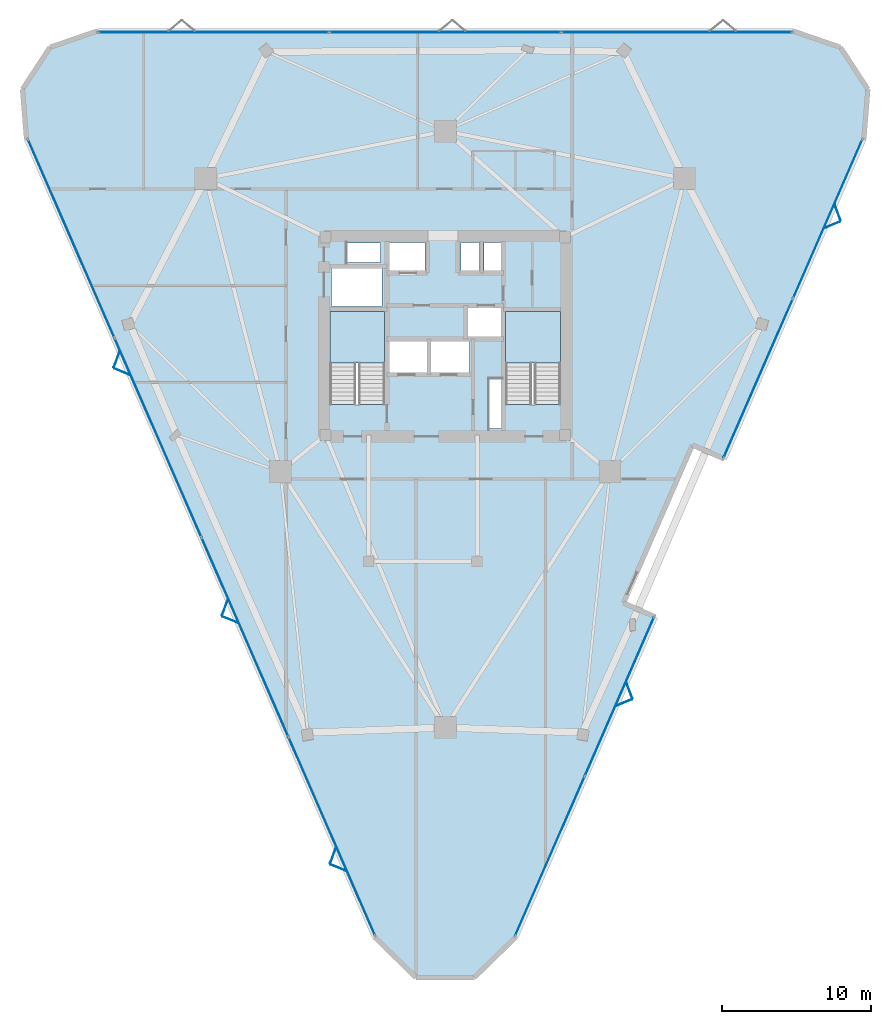
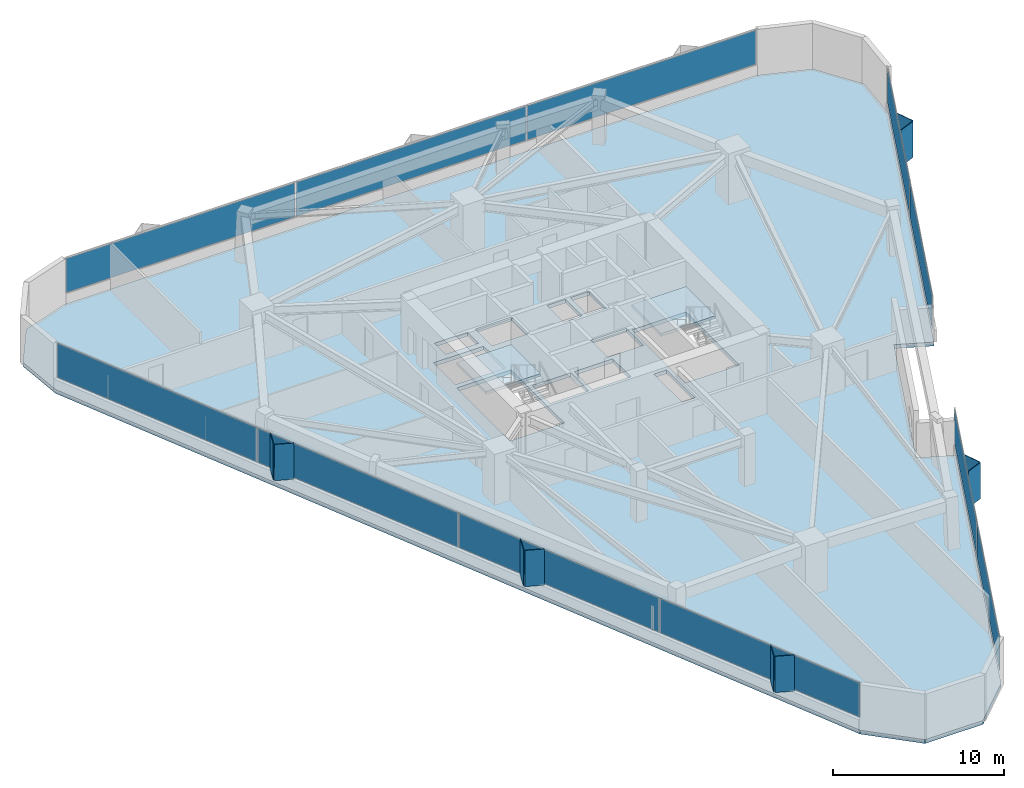
# One storey, part 8 of 12: 21 plates, 3 slabs, 6 elements without a shape of their own.
"""IFC4 building model written with IfcOpenShell, lengths in metres."""

from ifc_helpers import new_model, si_unit, direction, frame, origin, origin_2d, place, context, subcontext, project, spatial, polyline, rectangle, outline, extrude, material, layer, layer_set, type_object, element, aggregate, save


model = new_model("IFC4")

# Units and contexts
model_context = context("Model", 3, precision=1e-05, world=origin(), true_north=direction((0.0, 1.0)))
body_context = subcontext(model_context, "Body", "Model", "MODEL_VIEW")
ifc_project = project(units=[si_unit("LENGTHUNIT", "METRE"), si_unit("AREAUNIT", "SQUARE_METRE"), si_unit("VOLUMEUNIT", "CUBIC_METRE"), si_unit("PLANEANGLEUNIT", "RADIAN"), si_unit("MASSUNIT", "GRAM", prefix="KILO")], contexts=[model_context])

# Site, building, storey
site_placement = place(None, origin())
site = spatial("IfcSite", under=ifc_project, at=site_placement, CompositionType="ELEMENT")
building_placement = place(site_placement, origin())
building = spatial("IfcBuilding", under=site, at=building_placement, Name="Talyreon Biosciences Tower", CompositionType="ELEMENT")
storey_placement = place(building_placement, frame((0.0, 0.0, 152.75)))
storey = spatial("IfcBuildingStorey", under=building, at=storey_placement, Name="L40", CompositionType="ELEMENT", Elevation=152.75)

# Curtain wall, plates
ifc_material_1 = material(Name="Thermally broken aluminium and low-E glazing", Category="aluminium")
ifc_layer_1 = layer(ifc_material_1, 0.205078125)
ifc_layer_set_1 = layer_set([ifc_layer_1], Name="Thermally broken aluminium and low-E glazing")
curtain_wall_type = type_object("IfcCurtainWallType", Name="CurtainWall_SkyGardenLoggia", PredefinedType="NOTDEFINED", material=ifc_layer_set_1)
curtain_wall_1_placement = place(storey_placement, origin())
curtain_wall_1 = element("IfcCurtainWall", 1, at=curtain_wall_1_placement, inside=storey, type_object=curtain_wall_type, Name="L40 Unitised Curtain Wall FCW-L40-03", PredefinedType="NOTDEFINED")
ifc_material_2 = material(Name="Acoustic laminated low-E insulated glazing", Category="glass")
ifc_layer_2 = layer(ifc_material_2, 0.0380859375)
ifc_layer_set_2 = layer_set([ifc_layer_2], Name="Acoustic laminated low-E insulated glazing")
plate_type_1 = type_object("IfcPlateType", Name="CWGlazingPanel_38", PredefinedType="CURTAIN_PANEL", material=ifc_layer_set_2)
plate_1_placement = place(storey_placement, frame((50.423828125, 88.439453125, 0.875), z_axis=(0.0, 0.0, 1.0), x_axis=(1.0, 0.0, 0.0)))
plate_1 = element("IfcPlate", 2, at=plate_1_placement, type_object=plate_type_1, Name="CW7 panel 1.1", PredefinedType="CURTAIN_PANEL", context=body_context, shape_type="SweptSolid", body=[
    extrude(rectangle(XDim=15.482421875, YDim=0.0380859375, at=origin_2d()), origin(), (0.0, 0.0, 1.0), 2.43505859375),
])
plate_2_placement = place(storey_placement, frame((66.0, 88.439453125, 0.875), z_axis=(0.0, 0.0, 1.0), x_axis=(1.0, 0.0, 0.0)))
plate_2 = element("IfcPlate", 3, at=plate_2_placement, type_object=plate_type_1, Name="CW7 panel 2.1", PredefinedType="CURTAIN_PANEL", context=body_context, shape_type="SweptSolid", body=[
    extrude(rectangle(XDim=15.519775390625, YDim=0.0380859375, at=origin_2d()), origin(), (0.0, 0.0, 1.0), 2.43505859375),
])
plate_3_placement = place(storey_placement, frame((81.576171875, 88.439453125, 0.875), z_axis=(0.0, 0.0, 1.0), x_axis=(1.0, 0.0, 0.0)))
plate_3 = element("IfcPlate", 4, at=plate_3_placement, type_object=plate_type_1, Name="CW7 panel 3.1", PredefinedType="CURTAIN_PANEL", context=body_context, shape_type="SweptSolid", body=[
    extrude(rectangle(XDim=15.482421875, YDim=0.0380859375, at=origin_2d()), origin(), (0.0, 0.0, 1.0), 2.43505859375),
])
aggregate(curtain_wall_1, [plate_1, plate_2, plate_3])

curtain_wall_2_placement = place(storey_placement, origin())
curtain_wall_2 = element("IfcCurtainWall", 5, at=curtain_wall_2_placement, inside=storey, type_object=curtain_wall_type, Name="L40 Unitised Curtain Wall FCW-L40-07", PredefinedType="NOTDEFINED")
plate_4_placement = place(storey_placement, frame((91.733642578125, 75.87890625, 0.875), z_axis=(0.0, 0.0, 1.0), x_axis=(-0.399697916434, -0.916646919811, 0.0)))
plate_4 = element("IfcPlate", 6, at=plate_4_placement, type_object=plate_type_1, Name="CW7 panel 1.1", PredefinedType="CURTAIN_PANEL", context=body_context, shape_type="SweptSolid", body=[
    extrude(rectangle(XDim=11.61865234375, YDim=0.0380859375, at=origin_2d()), origin(), (0.0, 0.0, 1.0), 2.43505859375),
])
plate_5_placement = place(storey_placement, frame((87.0595703125, 65.159912109375, 0.875), z_axis=(0.0, 0.0, 1.0), x_axis=(-0.399697916434, -0.916646919811, 0.0)))
plate_5 = element("IfcPlate", 7, at=plate_5_placement, type_object=plate_type_1, Name="CW7 panel 2.1", PredefinedType="CURTAIN_PANEL", context=body_context, shape_type="SweptSolid", body=[
    extrude(rectangle(XDim=11.61865234375, YDim=0.0380859375, at=origin_2d()), origin(), (0.0, 0.0, 1.0), 2.43505859375),
])
aggregate(curtain_wall_2, [plate_4, plate_5])

curtain_wall_3_placement = place(storey_placement, origin())
curtain_wall_3 = element("IfcCurtainWall", 8, at=curtain_wall_3_placement, inside=storey, type_object=curtain_wall_type, Name="L40 Unitised Curtain Wall FCW-L40-11", PredefinedType="NOTDEFINED")
plate_6_placement = place(storey_placement, frame((77.71923828125, 43.739013671875, 0.875), z_axis=(0.0, 0.0, 1.0), x_axis=(-0.399697916434, -0.916646919811, 0.0)))
plate_6 = element("IfcPlate", 9, at=plate_6_placement, type_object=plate_type_1, Name="CW7 panel 1.1", PredefinedType="CURTAIN_PANEL", context=body_context, shape_type="SweptSolid", body=[
    extrude(rectangle(XDim=11.61865234375, YDim=0.0380859375, at=origin_2d()), origin(), (0.0, 0.0, 1.0), 2.43505859375),
])
plate_7_placement = place(storey_placement, frame((73.045166015625, 33.02001953125, 0.875), z_axis=(0.0, 0.0, 1.0), x_axis=(-0.399697916434, -0.916646919811, 0.0)))
plate_7 = element("IfcPlate", 10, at=plate_7_placement, type_object=plate_type_1, Name="CW7 panel 2.1", PredefinedType="CURTAIN_PANEL", context=body_context, shape_type="SweptSolid", body=[
    extrude(rectangle(XDim=11.61865234375, YDim=0.0380859375, at=origin_2d()), origin(), (0.0, 0.0, 1.0), 2.43505859375),
])
aggregate(curtain_wall_3, [plate_6, plate_7])

curtain_wall_4_placement = place(storey_placement, origin())
curtain_wall_4 = element("IfcCurtainWall", 11, at=curtain_wall_4_placement, inside=storey, type_object=curtain_wall_type, Name="L40 Unitised Curtain Wall FCW-L40-15", PredefinedType="NOTDEFINED")
plate_8_placement = place(storey_placement, frame((58.375244140625, 34.34912109375, 0.875), z_axis=(0.0, 0.0, 1.0), x_axis=(-0.399698003034, 0.916646882049, 0.0)))
plate_8 = element("IfcPlate", 12, at=plate_8_placement, type_object=plate_type_1, Name="CW7 panel 1.1", PredefinedType="CURTAIN_PANEL", context=body_context, shape_type="SweptSolid", body=[
    extrude(rectangle(XDim=14.518798828125, YDim=0.0380859375, at=origin_2d()), origin(), (0.0, 0.0, 1.0), 2.43505859375),
])
plate_9_placement = place(storey_placement, frame((52.53466796875, 47.74365234375, 0.875), z_axis=(0.0, 0.0, 1.0), x_axis=(-0.399698003034, 0.916646882049, 0.0)))
plate_9 = element("IfcPlate", 13, at=plate_9_placement, type_object=plate_type_1, Name="CW7 panel 2.1", PredefinedType="CURTAIN_PANEL", context=body_context, shape_type="SweptSolid", body=[
    extrude(rectangle(XDim=14.55615234375, YDim=0.0380859375, at=origin_2d()), origin(), (0.0, 0.0, 1.0), 2.43505859375),
])
plate_10_placement = place(storey_placement, frame((46.6865234375, 61.1552734375, 0.875), z_axis=(0.0, 0.0, 1.0), x_axis=(-0.399698003034, 0.916646882049, 0.0)))
plate_10 = element("IfcPlate", 14, at=plate_10_placement, type_object=plate_type_1, Name="CW7 panel 3.1", PredefinedType="CURTAIN_PANEL", context=body_context, shape_type="SweptSolid", body=[
    extrude(rectangle(XDim=14.55615234375, YDim=0.0380859375, at=origin_2d()), origin(), (0.0, 0.0, 1.0), 2.43505859375),
])
plate_11_placement = place(storey_placement, frame((40.845947265625, 74.5498046875, 0.875), z_axis=(0.0, 0.0, 1.0), x_axis=(-0.399698003034, 0.916646882049, 0.0)))
plate_11 = element("IfcPlate", 15, at=plate_11_placement, type_object=plate_type_1, Name="CW7 panel 4.1", PredefinedType="CURTAIN_PANEL", context=body_context, shape_type="SweptSolid", body=[
    extrude(rectangle(XDim=14.518798828125, YDim=0.0380859375, at=origin_2d()), origin(), (0.0, 0.0, 1.0), 2.43505859375),
])
aggregate(curtain_wall_4, [plate_8, plate_9, plate_10, plate_11])

# Plates
ifc_material_3 = material(Name="Ivory GFRC sunshade panel", Category="concrete")
ifc_layer_3 = layer(ifc_material_3, 0.044921875)
ifc_layer_set_3 = layer_set([ifc_layer_3], Name="Ivory GFRC sunshade panel")
plate_type_2 = type_object("IfcPlateType", Name="FoldedVSunshade_SunFace_SUNSHADE", PredefinedType="USERDEFINED", material=ifc_layer_set_3)
for number, where, z_axis, x_axis, name in (
    (16, (92.402587890625, 76.31201171875, 0.7900390625), (0.0, 0.0, 1.0), (0.349242662946, -0.937032316614, 0.0), "L40 Folded V-Sunshade Panel 07.01L"),
    (17, (92.042724609375, 75.487060546875, 0.7900390625), (0.0, 0.0, 1.0), (-0.92427310868, -0.381731869995, 0.0), "L40 Folded V-Sunshade Panel 07.01R"),
    (18, (78.38818359375, 44.172119140625, 0.7900390625), (0.0, 0.0, 1.0), (0.349242662946, -0.937032316614, 0.0), "L40 Folded V-Sunshade Panel 11.01L"),
    (19, (78.0283203125, 43.34716796875, 0.7900390625), (0.0, 0.0, 1.0), (-0.92427310868, -0.381731869995, 0.0), "L40 Folded V-Sunshade Panel 11.01R"),
    (20, (58.81689453125, 32.235107421875, 0.7900390625), (0.0, 0.0, 1.0), (-0.92427310868, 0.381731869995, 0.0), "L40 Folded V-Sunshade Panel 15.01L"),
    (21, (58.457275390625, 33.060302734375, 0.7900390625), (0.0, 0.0, 1.0), (0.349242662946, 0.937032316614, 0.0), "L40 Folded V-Sunshade Panel 15.01R"),
    (22, (51.54248046875, 48.918212890625, 0.7900390625), (0.0, 0.0, 1.0), (-0.92427310868, 0.381731869995, 0.0), "L40 Folded V-Sunshade Panel 15.02L"),
    (23, (51.182861328125, 49.7431640625, 0.7900390625), (0.0, 0.0, 1.0), (0.349242662946, 0.937032316614, 0.0), "L40 Folded V-Sunshade Panel 15.02R"),
    (24, (44.26806640625, 65.601318359375, 0.7900390625), (0.0, 0.0, 1.0), (-0.92427310868, 0.381731869995, 0.0), "L40 Folded V-Sunshade Panel 15.03L"),
    (25, (43.908203125, 66.426025390625, 0.7900390625), (0.0, 0.0, 1.0), (0.349242662946, 0.937032316614, 0.0), "L40 Folded V-Sunshade Panel 15.03R"),
):
    element("IfcPlate", number, at=place(storey_placement, frame(where, z_axis=z_axis, x_axis=x_axis)), inside=storey, type_object=plate_type_2, Name=name, ObjectType="SUNSHADE", PredefinedType="USERDEFINED", context=body_context, shape_type="SweptSolid", body=[
        extrude(rectangle(XDim=1.14990234375, YDim=0.044921875, at=origin_2d()), origin(), (0.0, 0.0, 1.0), 2.5849609375),
    ])

# Stair, slab
ifc_material_4 = material(Name="Concrete C40/50", Category="concrete")
stair_type = type_object("IfcStairType", Name="DoglegEscapeStair_3650", PredefinedType="HALF_TURN_STAIR", material=ifc_material_4)
stair_1_placement = place(storey_placement, origin())
stair_1 = element("IfcStair", 26, at=stair_1_placement, inside=storey, type_object=stair_type, Name="L40 Core Escape Stair 1", PredefinedType="HALF_TURN_STAIR")
ifc_layer_4 = layer(ifc_material_4, 0.199951171875)
ifc_layer_set_4 = layer_set([ifc_layer_4], Name="Concrete C40/50")
slab_type_1 = type_object("IfcSlabType", Name="StairLandingSlab_200", PredefinedType="LANDING", material=ifc_layer_set_4)
slab_1_placement = place(storey_placement, frame((0.0, 0.0, 1.625)))
slab_1 = element("IfcSlab", 27, at=slab_1_placement, type_object=slab_type_1, Name="ST-1 landing 1", PredefinedType="LANDING", context=body_context, shape_type="SweptSolid", body=[
    extrude(outline(polyline([(61.929931640625, 66.199951171875), (61.929931640625, 69.64990234375), (58.25, 69.64990234375), (58.25, 66.199951171875), (61.929931640625, 66.199951171875)])), origin(), (0.0, 0.0, 1.0), 0.199951171875),
])
aggregate(stair_1, [slab_1])

stair_2_placement = place(storey_placement, origin())
stair_2 = element("IfcStair", 28, at=stair_2_placement, inside=storey, type_object=stair_type, Name="L40 Core Escape Stair 2", PredefinedType="HALF_TURN_STAIR")
slab_2_placement = place(storey_placement, frame((0.0, 0.0, 1.625)))
slab_2 = element("IfcSlab", 29, at=slab_2_placement, type_object=slab_type_1, Name="ST-2 landing 1", PredefinedType="LANDING", context=body_context, shape_type="SweptSolid", body=[
    extrude(outline(polyline([(73.75, 66.199951171875), (73.75, 69.64990234375), (70.070068359375, 69.64990234375), (70.070068359375, 66.199951171875), (73.75, 66.199951171875)])), origin(), (0.0, 0.0, 1.0), 0.199951171875),
])
aggregate(stair_2, [slab_2])

# Slab
ifc_layer_5 = layer(ifc_material_4, 0.27490234375)
ifc_layer_set_5 = layer_set([ifc_layer_5], Name="Concrete C40/50")
slab_type_2 = type_object("IfcSlabType", Name="WetLabFloorSlab_275", PredefinedType="FLOOR", material=ifc_layer_set_5)
slab_3_placement = place(storey_placement, frame((0.0, 0.0, -0.27490234375)))
element("IfcSlab", 30, at=slab_3_placement, inside=storey, type_object=slab_type_2, Name="L40 Structural Floor Slab", PredefinedType="FLOOR", context=body_context, shape_type="SweptSolid", body=[
    extrude(outline(polyline([(37.841064453125, 81.240966796875), (37.568603515625, 84.603271484375), (39.416748046875, 87.42529296875), (42.607666015625, 88.519287109375), (89.392333984375, 88.519287109375), (92.583251953125, 87.42529296875), (94.431396484375, 84.603271484375), (94.158935546875, 81.240966796875), (84.781005859375, 59.734130859375), (82.626953125, 60.67333984375), (77.990478515625, 50.040283203125), (80.14453125, 49.10107421875), (70.7666015625, 27.59423828125), (67.960205078125, 24.856201171875), (64.039794921875, 24.856201171875), (61.2333984375, 27.59423828125), (37.841064453125, 81.240966796875)]), holes=[polyline([(61.929931640625, 69.64990234375), (61.929931640625, 63.407958984375), (58.25, 63.407958984375), (58.25, 69.64990234375), (61.929931640625, 69.64990234375)]), polyline([(64.800048828125, 67.64990234375), (64.800048828125, 65.550048828125), (62.199951171875, 65.550048828125), (62.199951171875, 67.64990234375), (64.800048828125, 67.64990234375)]), polyline([(67.64990234375, 67.64990234375), (67.64990234375, 65.550048828125), (65.050048828125, 65.550048828125), (65.050048828125, 67.64990234375), (67.64990234375, 67.64990234375)]), polyline([(61.75, 69.97998046875), (58.35009765625, 69.97998046875), (58.35009765625, 72.550048828125), (61.75, 72.550048828125), (61.75, 69.97998046875)]), polyline([(64.64990234375, 72.35009765625), (62.199951171875, 72.35009765625), (62.199951171875, 74.300048828125), (64.64990234375, 74.300048828125), (64.64990234375, 72.35009765625)]), polyline([(61.64990234375, 74.25), (61.64990234375, 72.9599609375), (59.39990234375, 72.9599609375), (59.39990234375, 74.25), (61.64990234375, 74.25)]), polyline([(69.820068359375, 61.800048828125), (68.9599609375, 61.800048828125), (68.9599609375, 65.10009765625), (69.820068359375, 65.10009765625), (69.820068359375, 61.800048828125)]), polyline([(73.75, 63.407958984375), (70.070068359375, 63.407958984375), (70.070068359375, 69.64990234375), (73.75, 69.64990234375), (73.75, 63.407958984375)]), polyline([(69.89990234375, 69.949951171875), (69.89990234375, 67.949951171875), (67.5, 67.949951171875), (67.5, 69.949951171875), (69.89990234375, 69.949951171875)]), polyline([(68.300048828125, 72.35009765625), (67.050048828125, 72.35009765625), (67.050048828125, 74.300048828125), (68.300048828125, 74.300048828125), (68.300048828125, 72.35009765625)]), polyline([(69.919921875, 72.35009765625), (68.6201171875, 72.35009765625), (68.6201171875, 74.300048828125), (69.919921875, 74.300048828125), (69.919921875, 72.35009765625)])]), origin(), (0.0, 0.0, 1.0), 0.27490234375),
])

save(model, "model.ifc")
